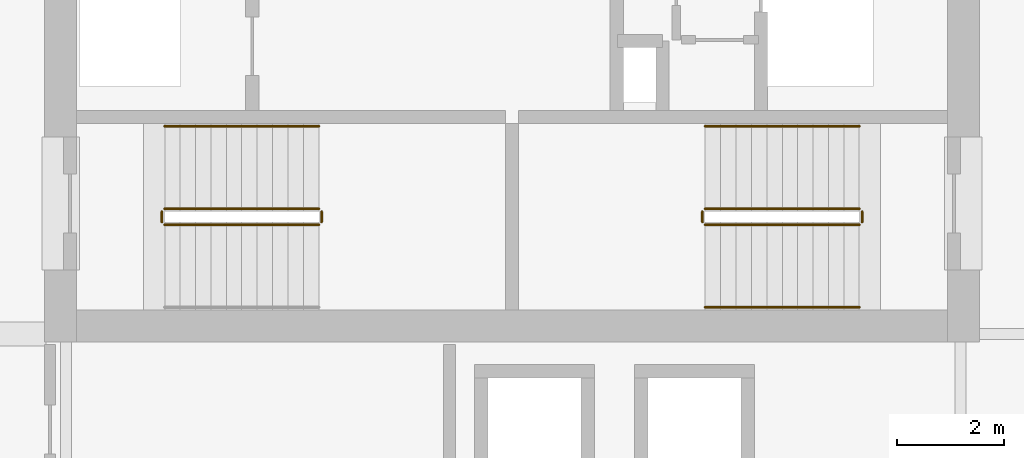
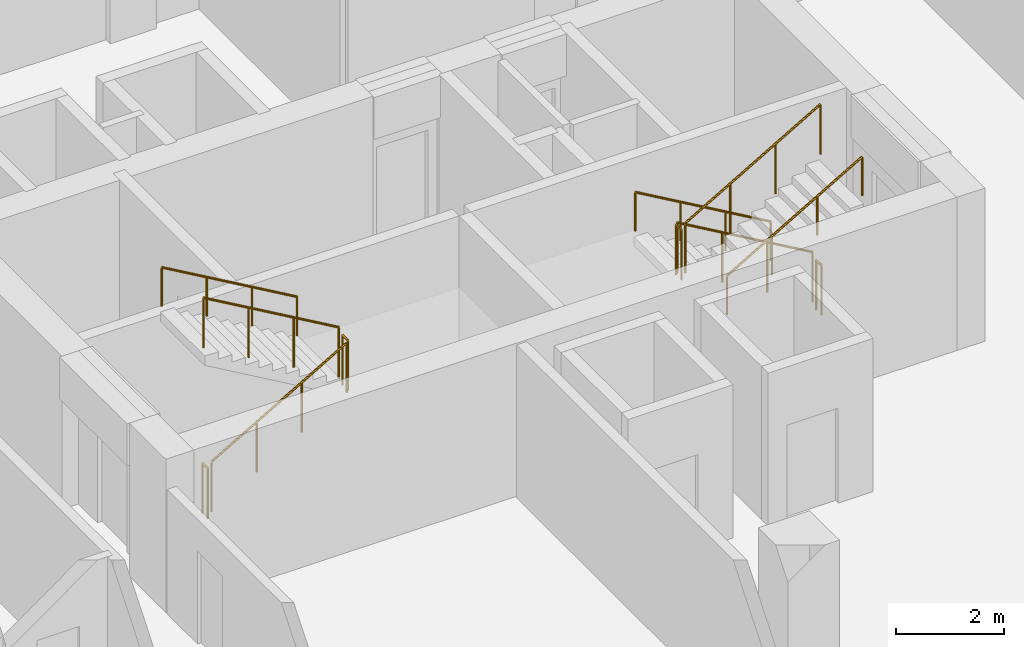
# One storey, part 12 of 14: 11 railings.
"""IFC4 building model written with IfcOpenShell, lengths in metres."""

from ifc_helpers import new_model, si_unit, direction, frame, origin, origin_2d, place, context, subcontext, project, spatial, circle, extrude, material, type_object, element, save


model = new_model("IFC4")

# Units and contexts
model_context = context("Model", 3, precision=1e-05, world=origin(), true_north=direction((0.0, 1.0)))
body_context = subcontext(model_context, "Body", "Model", "MODEL_VIEW")
ifc_project = project(units=[si_unit("LENGTHUNIT", "METRE"), si_unit("AREAUNIT", "SQUARE_METRE"), si_unit("VOLUMEUNIT", "CUBIC_METRE"), si_unit("PLANEANGLEUNIT", "RADIAN"), si_unit("MASSUNIT", "GRAM", prefix="KILO")], contexts=[model_context])

# Site, building, storey
site_placement = place(None, origin())
site = spatial("IfcSite", under=ifc_project, at=site_placement, CompositionType="ELEMENT")
building_placement = place(site_placement, origin())
building = spatial("IfcBuilding", under=site, at=building_placement, Name="Koriwani Terraces Tower", CompositionType="ELEMENT")
storey_placement = place(building_placement, frame((0.0, 0.0, 201.300048828125)))
storey = spatial("IfcBuildingStorey", under=building, at=storey_placement, Name="L49", CompositionType="ELEMENT", Elevation=201.300048828125)

# Railings
ifc_material = material(Name="Steel ASTM A572 Grade 50", Category="steel")
railing_type_1 = type_object("IfcRailingType", Name="GUARD_STAIR_WELL_1120", PredefinedType="GUARDRAIL", material=ifc_material)
railing_1_placement = place(storey_placement, frame((43.85009765625, 18.85009765625, 0.168212890625)))
element("IfcRailing", 1, at=railing_1_placement, inside=storey, type_object=railing_type_1, Name="L49 ST-E1 stair guard 1", PredefinedType="GUARDRAIL", context=body_context, shape_type="SweptSolid", body=[
    extrude(circle(Radius=0.02392578125, at=origin_2d()), frame((0.0, 0.0, 1.1259765625), z_axis=(0.86507038078, 0.0, 0.501650512107), x_axis=(0.0, 1.0, 0.0)), (0.0, 0.0, 1.0), 3.352294921875),
    extrude(circle(Radius=0.02099609375, at=origin_2d()), origin(), (0.0, 0.0, 1.0), 1.101806640625),
    extrude(circle(Radius=0.02099609375, at=origin_2d()), frame((0.966552734375, 0.0, 0.560546875)), (0.0, 0.0, 1.0), 1.101806640625),
    extrude(circle(Radius=0.02099609375, at=origin_2d()), frame((1.933349609375, 0.0, 1.12109375)), (0.0, 0.0, 1.0), 1.101806640625),
    extrude(circle(Radius=0.02099609375, at=origin_2d()), frame((2.89990234375, 0.0, 1.681640625)), (0.0, 0.0, 1.0), 1.101806640625),
])
railing_2_placement = place(storey_placement, frame((46.800048828125, 18.89990234375, 1.849853515625)))
element("IfcRailing", 2, at=railing_2_placement, inside=storey, type_object=railing_type_1, Name="L49 ST-E1 stair guard 2", PredefinedType="GUARDRAIL", context=body_context, shape_type="SweptSolid", body=[
    extrude(circle(Radius=0.02392578125, at=origin_2d()), frame((0.0, 0.0, 1.1259765625), z_axis=(0.0, 1.0, 0.0), x_axis=(-1.0, 0.0, 0.0)), (0.0, 0.0, 1.0), 0.2001953125),
    extrude(circle(Radius=0.02099609375, at=origin_2d()), origin(), (0.0, 0.0, 1.0), 1.101806640625),
    extrude(circle(Radius=0.02099609375, at=origin_2d()), frame((0.0, 0.2001953125, 0.0)), (0.0, 0.0, 1.0), 1.101806640625),
])
railing_3_placement = place(storey_placement, frame((46.75, 19.14990234375, 2.01806640625)))
element("IfcRailing", 3, at=railing_3_placement, inside=storey, type_object=railing_type_1, Name="L49 ST-E1 stair guard 3", PredefinedType="GUARDRAIL", context=body_context, shape_type="SweptSolid", body=[
    extrude(circle(Radius=0.02392578125, at=origin_2d()), frame((0.0, 0.0, 1.1259765625), z_axis=(-0.865038774852, 0.0, 0.501705010941), x_axis=(0.0, -1.0, 0.0)), (0.0, 0.0, 1.0), 3.352294921875),
    extrude(circle(Radius=0.02099609375, at=origin_2d()), origin(), (0.0, 0.0, 1.0), 1.101806640625),
    extrude(circle(Radius=0.02099609375, at=origin_2d()), frame((-0.966552734375, 0.0, 0.560546875)), (0.0, 0.0, 1.0), 1.101806640625),
    extrude(circle(Radius=0.02099609375, at=origin_2d()), frame((-1.933349609375, 0.0, 1.121337890625)), (0.0, 0.0, 1.0), 1.101806640625),
    extrude(circle(Radius=0.02099609375, at=origin_2d()), frame((-2.89990234375, 0.0, 1.681884765625)), (0.0, 0.0, 1.0), 1.101806640625),
])
railing_4_placement = place(storey_placement, frame((43.800048828125, 18.89990234375, 0.0)))
element("IfcRailing", 4, at=railing_4_placement, inside=storey, type_object=railing_type_1, Name="L49 ST-E1 stair guard 4", PredefinedType="GUARDRAIL", context=body_context, shape_type="SweptSolid", body=[
    extrude(circle(Radius=0.02392578125, at=origin_2d()), frame((0.0, 0.0, 1.1259765625), z_axis=(0.0, 1.0, 0.0), x_axis=(-1.0, 0.0, 0.0)), (0.0, 0.0, 1.0), 0.2001953125),
    extrude(circle(Radius=0.02099609375, at=origin_2d()), origin(), (0.0, 0.0, 1.0), 1.101806640625),
    extrude(circle(Radius=0.02099609375, at=origin_2d()), frame((0.0, 0.2001953125, 0.0)), (0.0, 0.0, 1.0), 1.101806640625),
])
railing_5_placement = place(storey_placement, frame((56.89990234375, 19.14990234375, 0.168212890625)))
element("IfcRailing", 5, at=railing_5_placement, inside=storey, type_object=railing_type_1, Name="L49 ST-E2 stair guard 1", PredefinedType="GUARDRAIL", context=body_context, shape_type="SweptSolid", body=[
    extrude(circle(Radius=0.02392578125, at=origin_2d()), frame((0.0, 0.0, 1.1259765625), z_axis=(-0.86507038078, 0.0, 0.501650512107), x_axis=(0.0, -1.0, 0.0)), (0.0, 0.0, 1.0), 3.352294921875),
    extrude(circle(Radius=0.02099609375, at=origin_2d()), origin(), (0.0, 0.0, 1.0), 1.101806640625),
    extrude(circle(Radius=0.02099609375, at=origin_2d()), frame((-0.966552734375, 0.0, 0.560546875)), (0.0, 0.0, 1.0), 1.101806640625),
    extrude(circle(Radius=0.02099609375, at=origin_2d()), frame((-1.933349609375, 0.0, 1.12109375)), (0.0, 0.0, 1.0), 1.101806640625),
    extrude(circle(Radius=0.02099609375, at=origin_2d()), frame((-2.89990234375, 0.0, 1.681640625)), (0.0, 0.0, 1.0), 1.101806640625),
])
railing_6_placement = place(storey_placement, frame((53.949951171875, 19.10009765625, 1.849853515625)))
element("IfcRailing", 6, at=railing_6_placement, inside=storey, type_object=railing_type_1, Name="L49 ST-E2 stair guard 2", PredefinedType="GUARDRAIL", context=body_context, shape_type="SweptSolid", body=[
    extrude(circle(Radius=0.02392578125, at=origin_2d()), frame((0.0, 0.0, 1.1259765625), z_axis=(0.0, -1.0, 0.0), x_axis=(1.0, 0.0, 0.0)), (0.0, 0.0, 1.0), 0.2001953125),
    extrude(circle(Radius=0.02099609375, at=origin_2d()), origin(), (0.0, 0.0, 1.0), 1.101806640625),
    extrude(circle(Radius=0.02099609375, at=origin_2d()), frame((0.0, -0.2001953125, 0.0)), (0.0, 0.0, 1.0), 1.101806640625),
])
railing_7_placement = place(storey_placement, frame((54.0, 18.85009765625, 2.01806640625)))
element("IfcRailing", 7, at=railing_7_placement, inside=storey, type_object=railing_type_1, Name="L49 ST-E2 stair guard 3", PredefinedType="GUARDRAIL", context=body_context, shape_type="SweptSolid", body=[
    extrude(circle(Radius=0.02392578125, at=origin_2d()), frame((0.0, 0.0, 1.1259765625), z_axis=(0.865038774852, 0.0, 0.501705010941), x_axis=(0.0, 1.0, 0.0)), (0.0, 0.0, 1.0), 3.352294921875),
    extrude(circle(Radius=0.02099609375, at=origin_2d()), origin(), (0.0, 0.0, 1.0), 1.101806640625),
    extrude(circle(Radius=0.02099609375, at=origin_2d()), frame((0.966552734375, 0.0, 0.560546875)), (0.0, 0.0, 1.0), 1.101806640625),
    extrude(circle(Radius=0.02099609375, at=origin_2d()), frame((1.933349609375, 0.0, 1.121337890625)), (0.0, 0.0, 1.0), 1.101806640625),
    extrude(circle(Radius=0.02099609375, at=origin_2d()), frame((2.89990234375, 0.0, 1.681884765625)), (0.0, 0.0, 1.0), 1.101806640625),
])
railing_8_placement = place(storey_placement, frame((56.949951171875, 19.10009765625, 0.0)))
element("IfcRailing", 8, at=railing_8_placement, inside=storey, type_object=railing_type_1, Name="L49 ST-E2 stair guard 4", PredefinedType="GUARDRAIL", context=body_context, shape_type="SweptSolid", body=[
    extrude(circle(Radius=0.02392578125, at=origin_2d()), frame((0.0, 0.0, 1.1259765625), z_axis=(0.0, -1.0, 0.0), x_axis=(1.0, 0.0, 0.0)), (0.0, 0.0, 1.0), 0.2001953125),
    extrude(circle(Radius=0.02099609375, at=origin_2d()), origin(), (0.0, 0.0, 1.0), 1.101806640625),
    extrude(circle(Radius=0.02099609375, at=origin_2d()), frame((0.0, -0.2001953125, 0.0)), (0.0, 0.0, 1.0), 1.101806640625),
])
railing_type_2 = type_object("IfcRailingType", Name="HANDRAIL_STAIR_920", PredefinedType="HANDRAIL", material=ifc_material)
railing_9_placement = place(storey_placement, frame((46.75, 20.699951171875, 2.01806640625)))
element("IfcRailing", 9, at=railing_9_placement, inside=storey, type_object=railing_type_2, Name="L49 ST-E1 stair handrail 2", PredefinedType="HANDRAIL", context=body_context, shape_type="SweptSolid", body=[
    extrude(circle(Radius=0.02392578125, at=origin_2d()), frame((0.0, 0.0, 0.8759765625), z_axis=(-0.865038774852, 0.0, 0.501705010941), x_axis=(0.0, -1.0, 0.0)), (0.0, 0.0, 1.0), 3.352294921875),
    extrude(circle(Radius=0.02099609375, at=origin_2d()), origin(), (0.0, 0.0, 1.0), 0.851806640625),
    extrude(circle(Radius=0.02099609375, at=origin_2d()), frame((-0.966552734375, 0.0, 0.560546875)), (0.0, 0.0, 1.0), 0.851806640625),
    extrude(circle(Radius=0.02099609375, at=origin_2d()), frame((-1.933349609375, 0.0, 1.121337890625)), (0.0, 0.0, 1.0), 0.851806640625),
    extrude(circle(Radius=0.02099609375, at=origin_2d()), frame((-2.89990234375, 0.0, 1.681884765625)), (0.0, 0.0, 1.0), 0.851806640625),
])
railing_10_placement = place(storey_placement, frame((56.89990234375, 20.699951171875, 0.168212890625)))
element("IfcRailing", 10, at=railing_10_placement, inside=storey, type_object=railing_type_2, Name="L49 ST-E2 stair handrail 1", PredefinedType="HANDRAIL", context=body_context, shape_type="SweptSolid", body=[
    extrude(circle(Radius=0.02392578125, at=origin_2d()), frame((0.0, 0.0, 0.8759765625), z_axis=(-0.86507038078, 0.0, 0.501650512107), x_axis=(0.0, -1.0, 0.0)), (0.0, 0.0, 1.0), 3.352294921875),
    extrude(circle(Radius=0.02099609375, at=origin_2d()), origin(), (0.0, 0.0, 1.0), 0.851806640625),
    extrude(circle(Radius=0.02099609375, at=origin_2d()), frame((-0.966552734375, 0.0, 0.560546875)), (0.0, 0.0, 1.0), 0.851806640625),
    extrude(circle(Radius=0.02099609375, at=origin_2d()), frame((-1.933349609375, 0.0, 1.12109375)), (0.0, 0.0, 1.0), 0.851806640625),
    extrude(circle(Radius=0.02099609375, at=origin_2d()), frame((-2.89990234375, 0.0, 1.681640625)), (0.0, 0.0, 1.0), 0.851806640625),
])
railing_11_placement = place(storey_placement, frame((54.0, 17.300048828125, 2.01806640625)))
element("IfcRailing", 11, at=railing_11_placement, inside=storey, type_object=railing_type_2, Name="L49 ST-E2 stair handrail 2", PredefinedType="HANDRAIL", context=body_context, shape_type="SweptSolid", body=[
    extrude(circle(Radius=0.02392578125, at=origin_2d()), frame((0.0, 0.0, 0.8759765625), z_axis=(0.865038774852, 0.0, 0.501705010941), x_axis=(0.0, 1.0, 0.0)), (0.0, 0.0, 1.0), 3.352294921875),
    extrude(circle(Radius=0.02099609375, at=origin_2d()), origin(), (0.0, 0.0, 1.0), 0.851806640625),
    extrude(circle(Radius=0.02099609375, at=origin_2d()), frame((0.966552734375, 0.0, 0.560546875)), (0.0, 0.0, 1.0), 0.851806640625),
    extrude(circle(Radius=0.02099609375, at=origin_2d()), frame((1.933349609375, 0.0, 1.121337890625)), (0.0, 0.0, 1.0), 0.851806640625),
    extrude(circle(Radius=0.02099609375, at=origin_2d()), frame((2.89990234375, 0.0, 1.681884765625)), (0.0, 0.0, 1.0), 0.851806640625),
])

save(model, "model.ifc")
